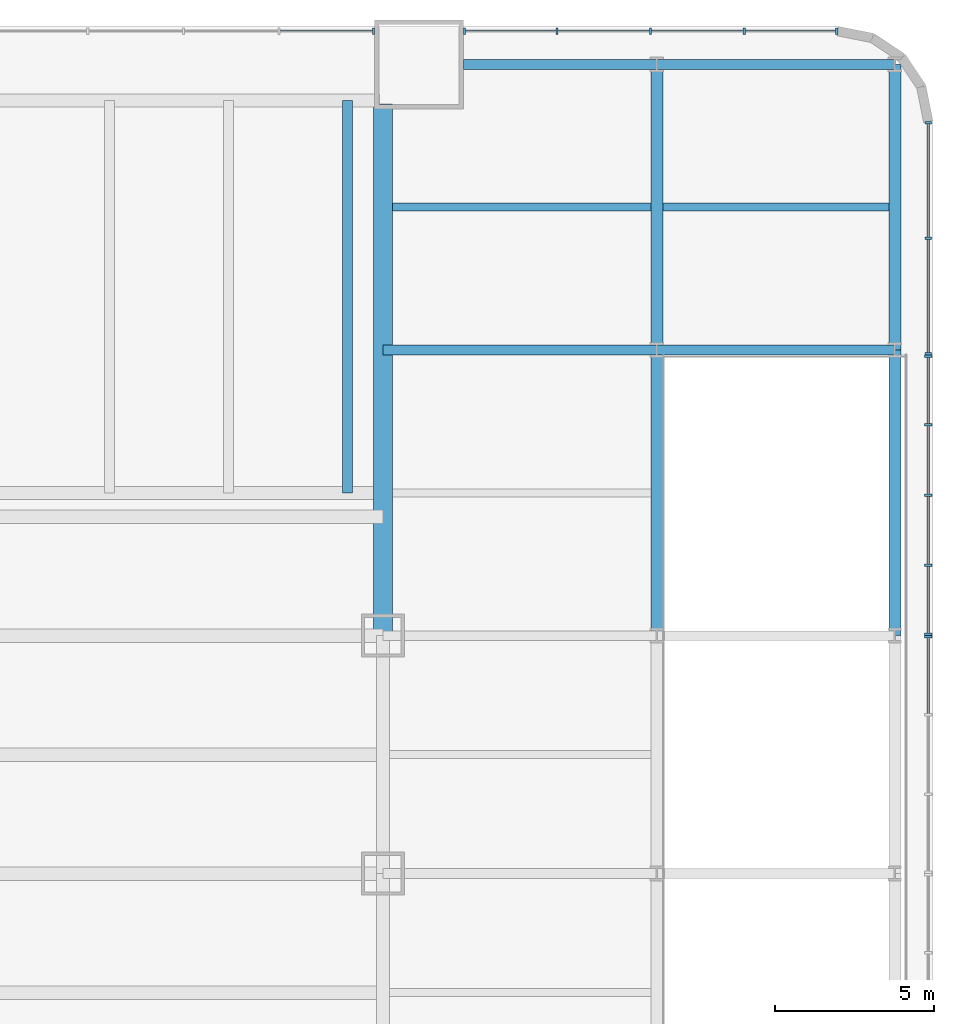
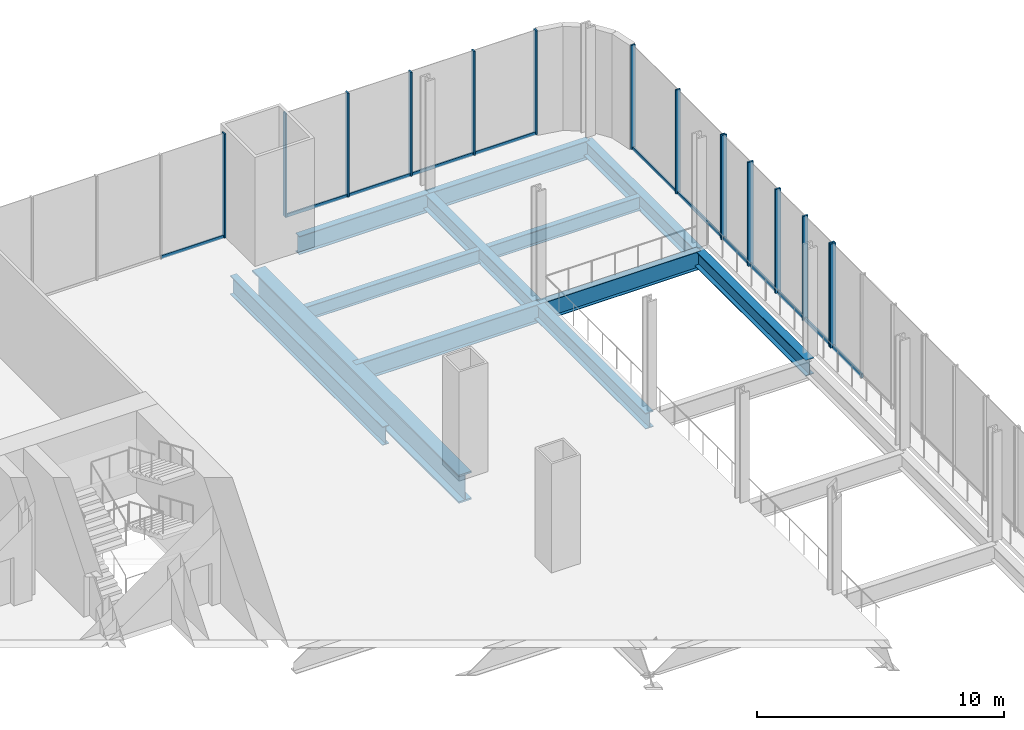
# One storey, part 9 of 16: 27 members, 12 beams, 5 elements without a shape of their own.
"""IFC4 building model written with IfcOpenShell, lengths in metres."""

from ifc_helpers import new_model, si_unit, direction, frame, origin, origin_2d, place, context, subcontext, project, spatial, rectangle, i_section, extrude, material, material_profile, profile_set, type_object, element, aggregate, save


model = new_model("IFC4")

# Units and contexts
model_context = context("Model", 3, precision=1e-05, world=origin(), true_north=direction((0.0, 1.0)))
body_context = subcontext(model_context, "Body", "Model", "MODEL_VIEW")
ifc_project = project(units=[si_unit("LENGTHUNIT", "METRE"), si_unit("AREAUNIT", "SQUARE_METRE"), si_unit("VOLUMEUNIT", "CUBIC_METRE"), si_unit("PLANEANGLEUNIT", "RADIAN"), si_unit("MASSUNIT", "GRAM", prefix="KILO")], contexts=[model_context])

# Site, building, storey
site_placement = place(None, origin())
site = spatial("IfcSite", under=ifc_project, at=site_placement, CompositionType="ELEMENT")
building_placement = place(site_placement, origin())
building = spatial("IfcBuilding", under=site, at=building_placement, Name="Tarangal Relay Tower", CompositionType="ELEMENT")
storey_placement = place(building_placement, frame((0.0, 0.0, 7.199951171875)))
storey = spatial("IfcBuildingStorey", under=building, at=storey_placement, Name="L01", CompositionType="ELEMENT", Elevation=7.199951171875)

# Beam
ifc_material_1 = material(Name="Steel ASTM A992", Category="steel")
ifc_material_profile_1 = material_profile(ifc_material_1, i_section(OverallWidth=0.307373046875, OverallDepth=0.927001953125, WebThickness=0.019287109375, FlangeThickness=0.031982421875, at=origin_2d()), Name="W36X194")
ifc_profile_set_1 = profile_set([ifc_material_profile_1], Name="Steel ASTM A992")
beam_type_1 = type_object("IfcBeamType", Name="Corner beam W36X194", PredefinedType="JOIST", material=ifc_profile_set_1)
beam_1_placement = place(storey_placement, frame((23.25, 12.0, -0.71337890625), z_axis=(0.0, 1.0, 0.0), x_axis=(-1.0, 0.0, 0.0)))
element("IfcBeam", 1, at=beam_1_placement, inside=storey, type_object=beam_type_1, Name="Corner beam CB10 N L01", PredefinedType="JOIST", context=body_context, shape_type="SweptSolid", body=[
    extrude(i_section(OverallWidth=0.307373046875, OverallDepth=0.927001953125, WebThickness=0.019287109375, FlangeThickness=0.031982421875, at=origin_2d()), origin(), (0.0, 0.0, 1.0), 12.364990234375),
])

# Curtain wall, members
ifc_material_2 = material(Name="Unitised curtain wall, dark glass and black aluminium", Category="aluminium")
curtain_wall_type_1 = type_object("IfcCurtainWallType", Name="Curtain wall CW-P", PredefinedType="USERDEFINED", material=ifc_material_2)
curtain_wall_1_placement = place(storey_placement, origin())
curtain_wall_1 = element("IfcCurtainWall", 2, at=curtain_wall_1_placement, inside=storey, type_object=curtain_wall_type_1, Name="Curtain wall CW-P Podium N facade L01", ObjectType="UNITISED CURTAIN WALL", PredefinedType="USERDEFINED")
ifc_material_3 = material(Name="Black anodised aluminium mullion", Category="aluminium")
ifc_material_profile_2 = material_profile(ifc_material_3, rectangle(XDim=0.199951171875, YDim=0.070068359375, at=origin_2d()), Name="CW-PM 70X200")
ifc_profile_set_2 = profile_set([ifc_material_profile_2], Name="Black anodised aluminium mullion")
member_type_1 = type_object("IfcMemberType", Name="Mullion CW-P 70 x 200", PredefinedType="MULLION", material=ifc_profile_set_2)
member_1_placement = place(storey_placement, frame((38.6650390625, 26.550048828125, 0.0), z_axis=(0.0, 0.0, 1.0), x_axis=(0.0, -1.0, 0.0)))
member_1 = element("IfcMember", 3, at=member_1_placement, type_object=member_type_1, Name="CW-P mullion 1", PredefinedType="MULLION", context=body_context, shape_type="SweptSolid", body=[
    extrude(rectangle(XDim=0.199951171875, YDim=0.070068359375, at=origin_2d()), origin(), (0.0, 0.0, 1.0), 5.150146484375),
])
member_2_placement = place(storey_placement, frame((35.75, 26.550048828125, 0.0), z_axis=(0.0, 0.0, 1.0), x_axis=(0.0, -1.0, 0.0)))
member_2 = element("IfcMember", 4, at=member_2_placement, type_object=member_type_1, Name="CW-P mullion 2", PredefinedType="MULLION", context=body_context, shape_type="SweptSolid", body=[
    extrude(rectangle(XDim=0.199951171875, YDim=0.070068359375, at=origin_2d()), origin(), (0.0, 0.0, 1.0), 5.150146484375),
])
member_3_placement = place(storey_placement, frame((32.800048828125, 26.550048828125, 0.0), z_axis=(0.0, 0.0, 1.0), x_axis=(0.0, -1.0, 0.0)))
member_3 = element("IfcMember", 5, at=member_3_placement, type_object=member_type_1, Name="CW-P mullion 3", PredefinedType="MULLION", context=body_context, shape_type="SweptSolid", body=[
    extrude(rectangle(XDim=0.199951171875, YDim=0.070068359375, at=origin_2d()), origin(), (0.0, 0.0, 1.0), 5.150146484375),
])
member_4_placement = place(storey_placement, frame((29.85009765625, 26.550048828125, 0.0), z_axis=(0.0, 0.0, 1.0), x_axis=(0.0, -1.0, 0.0)))
member_4 = element("IfcMember", 6, at=member_4_placement, type_object=member_type_1, Name="CW-P mullion 4", PredefinedType="MULLION", context=body_context, shape_type="SweptSolid", body=[
    extrude(rectangle(XDim=0.199951171875, YDim=0.070068359375, at=origin_2d()), origin(), (0.0, 0.0, 1.0), 5.150146484375),
])
member_5_placement = place(storey_placement, frame((26.93505859375, 26.550048828125, 0.0), z_axis=(0.0, 0.0, 1.0), x_axis=(0.0, -1.0, 0.0)))
member_5 = element("IfcMember", 7, at=member_5_placement, type_object=member_type_1, Name="CW-P mullion 5", PredefinedType="MULLION", context=body_context, shape_type="SweptSolid", body=[
    extrude(rectangle(XDim=0.199951171875, YDim=0.070068359375, at=origin_2d()), origin(), (0.0, 0.0, 1.0), 5.150146484375),
])

# Curtain wall, member
curtain_wall_2_placement = place(storey_placement, origin())
curtain_wall_2 = element("IfcCurtainWall", 8, at=curtain_wall_2_placement, inside=storey, type_object=curtain_wall_type_1, Name="Curtain wall CW-P Podium N facade L01", ObjectType="UNITISED CURTAIN WALL", PredefinedType="USERDEFINED")
member_6_placement = place(storey_placement, frame((24.06494140625, 26.550048828125, 0.0), z_axis=(0.0, 0.0, 1.0), x_axis=(0.0, -1.0, 0.0)))
member_6 = element("IfcMember", 9, at=member_6_placement, type_object=member_type_1, Name="CW-P mullion 1", PredefinedType="MULLION", context=body_context, shape_type="SweptSolid", body=[
    extrude(rectangle(XDim=0.199951171875, YDim=0.070068359375, at=origin_2d()), origin(), (0.0, 0.0, 1.0), 5.150146484375),
])

# Curtain wall, members
curtain_wall_3_placement = place(storey_placement, origin())
curtain_wall_3 = element("IfcCurtainWall", 10, at=curtain_wall_3_placement, inside=storey, type_object=curtain_wall_type_1, Name="Curtain wall CW-P Podium E facade L01", ObjectType="UNITISED CURTAIN WALL", PredefinedType="USERDEFINED")
member_7_placement = place(storey_placement, frame((41.550048828125, 16.385009765625, 0.0), z_axis=(0.0, 0.0, 1.0), x_axis=(-1.0, 0.0, 0.0)))
member_7 = element("IfcMember", 11, at=member_7_placement, type_object=member_type_1, Name="CW-P mullion 1", PredefinedType="MULLION", context=body_context, shape_type="SweptSolid", body=[
    extrude(rectangle(XDim=0.199951171875, YDim=0.070068359375, at=origin_2d()), origin(), (0.0, 0.0, 1.0), 5.150146484375),
])
member_8_placement = place(storey_placement, frame((41.550048828125, 20.02490234375, 0.0), z_axis=(0.0, 0.0, 1.0), x_axis=(-1.0, 0.0, 0.0)))
member_8 = element("IfcMember", 12, at=member_8_placement, type_object=member_type_1, Name="CW-P mullion 2", PredefinedType="MULLION", context=body_context, shape_type="SweptSolid", body=[
    extrude(rectangle(XDim=0.199951171875, YDim=0.070068359375, at=origin_2d()), origin(), (0.0, 0.0, 1.0), 5.150146484375),
])
member_9_placement = place(storey_placement, frame((41.550048828125, 23.6650390625, 0.0), z_axis=(0.0, 0.0, 1.0), x_axis=(-1.0, 0.0, 0.0)))
member_9 = element("IfcMember", 13, at=member_9_placement, type_object=member_type_1, Name="CW-P mullion 3", PredefinedType="MULLION", context=body_context, shape_type="SweptSolid", body=[
    extrude(rectangle(XDim=0.199951171875, YDim=0.070068359375, at=origin_2d()), origin(), (0.0, 0.0, 1.0), 5.150146484375),
])

# Curtain wall, member
curtain_wall_type_2 = type_object("IfcCurtainWallType", Name="Curtain wall CW-T", PredefinedType="USERDEFINED", material=ifc_material_2)
curtain_wall_4_placement = place(storey_placement, origin())
curtain_wall_4 = element("IfcCurtainWall", 14, at=curtain_wall_4_placement, inside=storey, type_object=curtain_wall_type_2, Name="Curtain wall CW-T Podium E facade L01", ObjectType="UNITISED CURTAIN WALL", PredefinedType="USERDEFINED")
ifc_material_profile_3 = material_profile(ifc_material_3, rectangle(XDim=0.25, YDim=0.080078125, at=origin_2d()), Name="CW-TM 80X250")
ifc_profile_set_3 = profile_set([ifc_material_profile_3], Name="Black anodised aluminium mullion")
member_type_2 = type_object("IfcMemberType", Name="Mullion CW-T 80 x 250", PredefinedType="MULLION", material=ifc_profile_set_3)
member_10_placement = place(storey_placement, frame((41.550048828125, 7.4599609375, 0.0), z_axis=(0.0, 0.0, 1.0), x_axis=(-1.0, 0.0, 0.0)))
member_10 = element("IfcMember", 15, at=member_10_placement, type_object=member_type_2, Name="CW-T mullion 4", PredefinedType="MULLION", context=body_context, shape_type="SweptSolid", body=[
    extrude(rectangle(XDim=0.25, YDim=0.080078125, at=origin_2d()), origin(), (0.0, 0.0, 1.0), 5.150146484375),
])

# Curtain wall, members
curtain_wall_5_placement = place(storey_placement, origin())
curtain_wall_5 = element("IfcCurtainWall", 16, at=curtain_wall_5_placement, inside=storey, type_object=curtain_wall_type_2, Name="Curtain wall CW-T Podium E facade L01", ObjectType="UNITISED CURTAIN WALL", PredefinedType="USERDEFINED")
member_11_placement = place(storey_placement, frame((41.550048828125, 7.5400390625, 0.0), z_axis=(0.0, 0.0, 1.0), x_axis=(-1.0, 0.0, 0.0)))
member_11 = element("IfcMember", 17, at=member_11_placement, type_object=member_type_2, Name="CW-T mullion 1", PredefinedType="MULLION", context=body_context, shape_type="SweptSolid", body=[
    extrude(rectangle(XDim=0.25, YDim=0.080078125, at=origin_2d()), origin(), (0.0, 0.0, 1.0), 5.150146484375),
])
member_12_placement = place(storey_placement, frame((41.550048828125, 9.71240234375, 0.0), z_axis=(0.0, 0.0, 1.0), x_axis=(-1.0, 0.0, 0.0)))
member_12 = element("IfcMember", 18, at=member_12_placement, type_object=member_type_2, Name="CW-T mullion 2", PredefinedType="MULLION", context=body_context, shape_type="SweptSolid", body=[
    extrude(rectangle(XDim=0.25, YDim=0.080078125, at=origin_2d()), origin(), (0.0, 0.0, 1.0), 5.150146484375),
])
member_13_placement = place(storey_placement, frame((41.550048828125, 11.925048828125, 0.0), z_axis=(0.0, 0.0, 1.0), x_axis=(-1.0, 0.0, 0.0)))
member_13 = element("IfcMember", 19, at=member_13_placement, type_object=member_type_2, Name="CW-T mullion 3", PredefinedType="MULLION", context=body_context, shape_type="SweptSolid", body=[
    extrude(rectangle(XDim=0.25, YDim=0.080078125, at=origin_2d()), origin(), (0.0, 0.0, 1.0), 5.150146484375),
])
member_14_placement = place(storey_placement, frame((41.550048828125, 14.137451171875, 0.0), z_axis=(0.0, 0.0, 1.0), x_axis=(-1.0, 0.0, 0.0)))
member_14 = element("IfcMember", 20, at=member_14_placement, type_object=member_type_2, Name="CW-T mullion 4", PredefinedType="MULLION", context=body_context, shape_type="SweptSolid", body=[
    extrude(rectangle(XDim=0.25, YDim=0.080078125, at=origin_2d()), origin(), (0.0, 0.0, 1.0), 5.150146484375),
])
member_15_placement = place(storey_placement, frame((41.550048828125, 16.31005859375, 0.0), z_axis=(0.0, 0.0, 1.0), x_axis=(-1.0, 0.0, 0.0)))
member_15 = element("IfcMember", 21, at=member_15_placement, type_object=member_type_2, Name="CW-T mullion 5", PredefinedType="MULLION", context=body_context, shape_type="SweptSolid", body=[
    extrude(rectangle(XDim=0.25, YDim=0.080078125, at=origin_2d()), origin(), (0.0, 0.0, 1.0), 5.150146484375),
])

# Beams
ifc_material_profile_4 = material_profile(ifc_material_1, i_section(OverallWidth=0.3046875, OverallDepth=0.911865234375, WebThickness=0.015869140625, FlangeThickness=0.02392578125, at=origin_2d()), Name="W36X150")
ifc_profile_set_4 = profile_set([ifc_material_profile_4], Name="Steel ASTM A992")
beam_type_2 = type_object("IfcBeamType", Name="Podium beam W36X150", PredefinedType="BEAM", material=ifc_profile_set_4)
beam_2_placement = place(storey_placement, frame((24.364990234375, 16.5, -0.705810546875), z_axis=(1.0, 0.0, 0.0), x_axis=(0.0, 1.0, 0.0)))
element("IfcBeam", 22, at=beam_2_placement, inside=storey, type_object=beam_type_2, Name="Podium beam PB1 L01", PredefinedType="BEAM", context=body_context, shape_type="SweptSolid", body=[
    extrude(i_section(OverallWidth=0.3046875, OverallDepth=0.911865234375, WebThickness=0.015869140625, FlangeThickness=0.02392578125, at=origin_2d()), origin(), (0.0, 0.0, 1.0), 8.635009765625),
])
beam_3_placement = place(storey_placement, frame((33.0, 16.5, -0.705810546875), z_axis=(1.0, 0.0, 0.0), x_axis=(0.0, 1.0, 0.0)))
element("IfcBeam", 23, at=beam_3_placement, inside=storey, type_object=beam_type_2, Name="Podium beam PB1 L01", PredefinedType="BEAM", context=body_context, shape_type="SweptSolid", body=[
    extrude(i_section(OverallWidth=0.3046875, OverallDepth=0.911865234375, WebThickness=0.015869140625, FlangeThickness=0.02392578125, at=origin_2d()), origin(), (0.0, 0.0, 1.0), 7.5),
])
beam_4_placement = place(storey_placement, frame((26.89990234375, 25.5, -0.705810546875), z_axis=(1.0, 0.0, 0.0), x_axis=(0.0, 1.0, 0.0)))
element("IfcBeam", 24, at=beam_4_placement, inside=storey, type_object=beam_type_2, Name="Podium beam PB1 L01", PredefinedType="BEAM", context=body_context, shape_type="SweptSolid", body=[
    extrude(i_section(OverallWidth=0.3046875, OverallDepth=0.911865234375, WebThickness=0.015869140625, FlangeThickness=0.02392578125, at=origin_2d()), origin(), (0.0, 0.0, 1.0), 6.10009765625),
])
beam_5_placement = place(storey_placement, frame((33.0, 25.5, -0.705810546875), z_axis=(1.0, 0.0, 0.0), x_axis=(0.0, 1.0, 0.0)))
element("IfcBeam", 25, at=beam_5_placement, inside=storey, type_object=beam_type_2, Name="Podium beam PB1 L01", PredefinedType="BEAM", context=body_context, shape_type="SweptSolid", body=[
    extrude(i_section(OverallWidth=0.3046875, OverallDepth=0.911865234375, WebThickness=0.015869140625, FlangeThickness=0.02392578125, at=origin_2d()), origin(), (0.0, 0.0, 1.0), 7.5),
])
ifc_material_profile_5 = material_profile(ifc_material_1, i_section(OverallWidth=0.383544921875, OverallDepth=0.784912109375, WebThickness=0.019775390625, FlangeThickness=0.033447265625, at=origin_2d()), Name="W30X211")
ifc_profile_set_5 = profile_set([ifc_material_profile_5], Name="Steel ASTM A992")
beam_type_3 = type_object("IfcBeamType", Name="Podium girder W30X211", PredefinedType="BEAM", material=ifc_profile_set_5)
for number, where, z_axis, x_axis, name in (
    (26, (33.0, 7.5, -0.642333984375), (0.0, 1.0, 0.0), (-1.0, 0.0, 0.0), "Podium girder PG1 L01"),
    (27, (33.0, 16.5, -0.642333984375), (0.0, 1.0, 0.0), (-1.0, 0.0, 0.0), "Podium girder PG1 L01"),
    (28, (40.5, 7.5, -0.642333984375), (0.0, 1.0, 0.0), (-1.0, 0.0, 0.0), "Podium girder PG1 L01"),
    (29, (40.5, 16.5, -0.642333984375), (0.0, 1.0, 0.0), (-1.0, 0.0, 0.0), "Podium girder PG1 L01"),
):
    element("IfcBeam", number, at=place(storey_placement, frame(where, z_axis=z_axis, x_axis=x_axis)), inside=storey, type_object=beam_type_3, Name=name, PredefinedType="BEAM", context=body_context, shape_type="SweptSolid", body=[
        extrude(i_section(OverallWidth=0.383544921875, OverallDepth=0.784912109375, WebThickness=0.019775390625, FlangeThickness=0.033447265625, at=origin_2d()), origin(), (0.0, 0.0, 1.0), 9.0),
    ])
ifc_material_profile_6 = material_profile(ifc_material_1, i_section(OverallWidth=0.25390625, OverallDepth=0.683349609375, WebThickness=0.012451171875, FlangeThickness=0.018798828125, at=origin_2d()), Name="W27X94")
ifc_profile_set_6 = profile_set([ifc_material_profile_6], Name="Steel ASTM A992")
beam_type_4 = type_object("IfcBeamType", Name="Podium joist W27X94", PredefinedType="JOIST", material=ifc_profile_set_6)
beam_6_placement = place(storey_placement, frame((24.6650390625, 21.0, -0.591552734375), z_axis=(1.0, 0.0, 0.0), x_axis=(0.0, 1.0, 0.0)))
element("IfcBeam", 30, at=beam_6_placement, inside=storey, type_object=beam_type_4, Name="Podium joist PJ1 L01", PredefinedType="JOIST", context=body_context, shape_type="SweptSolid", body=[
    extrude(i_section(OverallWidth=0.25390625, OverallDepth=0.683349609375, WebThickness=0.012451171875, FlangeThickness=0.018798828125, at=origin_2d()), origin(), (0.0, 0.0, 1.0), 8.14404296875),
])
beam_7_placement = place(storey_placement, frame((33.19091796875, 21.0, -0.591552734375), z_axis=(1.0, 0.0, 0.0), x_axis=(0.0, 1.0, 0.0)))
element("IfcBeam", 31, at=beam_7_placement, inside=storey, type_object=beam_type_4, Name="Podium joist PJ1 L01", PredefinedType="JOIST", context=body_context, shape_type="SweptSolid", body=[
    extrude(i_section(OverallWidth=0.25390625, OverallDepth=0.683349609375, WebThickness=0.012451171875, FlangeThickness=0.018798828125, at=origin_2d()), origin(), (0.0, 0.0, 1.0), 7.1181640625),
])
ifc_material_4 = material(Name="Steel ASTM A572 Grade 50", Category="steel")
ifc_material_profile_7 = material_profile(ifc_material_4, i_section(OverallWidth=0.60009765625, OverallDepth=1.39990234375, WebThickness=0.030029296875, FlangeThickness=0.080078125, at=origin_2d()), Name="PG1400X600X80X30")
ifc_profile_set_7 = profile_set([ifc_material_profile_7], Name="Steel ASTM A572 Grade 50")
beam_type_5 = type_object("IfcBeamType", Name="Transfer girder PG1400X600X80X30", PredefinedType="SPANDREL", material=ifc_profile_set_7)
beam_8_placement = place(storey_placement, frame((24.364990234375, 24.25, -0.949951171875), z_axis=(0.0, -1.0, 0.0), x_axis=(1.0, 0.0, 0.0)))
element("IfcBeam", 32, at=beam_8_placement, inside=storey, type_object=beam_type_5, Name="Transfer girder TG1 E L01", PredefinedType="SPANDREL", context=body_context, shape_type="SweptSolid", body=[
    extrude(i_section(OverallWidth=0.60009765625, OverallDepth=1.39990234375, WebThickness=0.030029296875, FlangeThickness=0.080078125, at=origin_2d()), origin(), (0.0, 0.0, 1.0), 16.75),
])

# Member
ifc_material_5 = material(Name="Black anodised aluminium transom", Category="aluminium")
ifc_material_profile_8 = material_profile(ifc_material_5, rectangle(XDim=0.070068359375, YDim=0.159912109375, at=origin_2d()), Name="CW-PT 70X160")
ifc_profile_set_8 = profile_set([ifc_material_profile_8], Name="Black anodised aluminium transom")
member_type_3 = type_object("IfcMemberType", Name="Transom CW-P 70 x 160", PredefinedType="USERDEFINED", material=ifc_profile_set_8)
member_16_placement = place(storey_placement, frame((38.6298828125, 26.550048828125, 0.03515625), z_axis=(-1.0, 0.0, 0.0), x_axis=(0.0, -1.0, 0.0)))
member_16 = element("IfcMember", 33, at=member_16_placement, type_object=member_type_3, Name="CW-P transom 1.1", ObjectType="TRANSOM", PredefinedType="USERDEFINED", context=body_context, shape_type="SweptSolid", body=[
    extrude(rectangle(XDim=0.070068359375, YDim=0.159912109375, at=origin_2d()), origin(), (0.0, 0.0, 1.0), 2.844970703125),
])

member_17_placement = place(storey_placement, frame((35.715087890625, 26.550048828125, 0.03515625), z_axis=(-1.0, 0.0, 0.0), x_axis=(0.0, -1.0, 0.0)))
member_17 = element("IfcMember", 34, at=member_17_placement, type_object=member_type_3, Name="CW-P transom 2.1", ObjectType="TRANSOM", PredefinedType="USERDEFINED", context=body_context, shape_type="SweptSolid", body=[
    extrude(rectangle(XDim=0.070068359375, YDim=0.159912109375, at=origin_2d()), origin(), (0.0, 0.0, 1.0), 2.880126953125),
])

member_18_placement = place(storey_placement, frame((32.764892578125, 26.550048828125, 0.03515625), z_axis=(-1.0, 0.0, 0.0), x_axis=(0.0, -1.0, 0.0)))
member_18 = element("IfcMember", 35, at=member_18_placement, type_object=member_type_3, Name="CW-P transom 3.1", ObjectType="TRANSOM", PredefinedType="USERDEFINED", context=body_context, shape_type="SweptSolid", body=[
    extrude(rectangle(XDim=0.070068359375, YDim=0.159912109375, at=origin_2d()), origin(), (0.0, 0.0, 1.0), 2.8798828125),
])

member_19_placement = place(storey_placement, frame((29.81494140625, 26.550048828125, 0.03515625), z_axis=(-1.0, 0.0, 0.0), x_axis=(0.0, -1.0, 0.0)))
member_19 = element("IfcMember", 36, at=member_19_placement, type_object=member_type_3, Name="CW-P transom 4.1", ObjectType="TRANSOM", PredefinedType="USERDEFINED", context=body_context, shape_type="SweptSolid", body=[
    extrude(rectangle(XDim=0.070068359375, YDim=0.159912109375, at=origin_2d()), origin(), (0.0, 0.0, 1.0), 2.844970703125),
])

aggregate(curtain_wall_1, [member_1, member_2, member_3, member_4, member_5, member_16, member_17, member_18, member_19])

member_20_placement = place(storey_placement, frame((24.030029296875, 26.550048828125, 0.03515625), z_axis=(-1.0, 0.0, 0.0), x_axis=(0.0, -1.0, 0.0)))
member_20 = element("IfcMember", 37, at=member_20_placement, type_object=member_type_3, Name="CW-P transom 1.1", ObjectType="TRANSOM", PredefinedType="USERDEFINED", context=body_context, shape_type="SweptSolid", body=[
    extrude(rectangle(XDim=0.070068359375, YDim=0.159912109375, at=origin_2d()), origin(), (0.0, 0.0, 1.0), 2.907470703125),
])

aggregate(curtain_wall_2, [member_6, member_20])

member_21_placement = place(storey_placement, frame((41.550048828125, 16.419921875, 0.03515625), z_axis=(0.0, 1.0, 0.0), x_axis=(-1.0, 0.0, 0.0)))
member_21 = element("IfcMember", 38, at=member_21_placement, type_object=member_type_3, Name="CW-P transom 1.1", ObjectType="TRANSOM", PredefinedType="USERDEFINED", context=body_context, shape_type="SweptSolid", body=[
    extrude(rectangle(XDim=0.070068359375, YDim=0.159912109375, at=origin_2d()), origin(), (0.0, 0.0, 1.0), 3.570068359375),
])

member_22_placement = place(storey_placement, frame((41.550048828125, 20.06005859375, 0.03515625), z_axis=(0.0, 1.0, 0.0), x_axis=(-1.0, 0.0, 0.0)))
member_22 = element("IfcMember", 39, at=member_22_placement, type_object=member_type_3, Name="CW-P transom 2.1", ObjectType="TRANSOM", PredefinedType="USERDEFINED", context=body_context, shape_type="SweptSolid", body=[
    extrude(rectangle(XDim=0.070068359375, YDim=0.159912109375, at=origin_2d()), origin(), (0.0, 0.0, 1.0), 3.56982421875),
])

aggregate(curtain_wall_3, [member_7, member_8, member_9, member_21, member_22])

ifc_material_profile_9 = material_profile(ifc_material_5, rectangle(XDim=0.080078125, YDim=0.199951171875, at=origin_2d()), Name="CW-TT 80X200")
ifc_profile_set_9 = profile_set([ifc_material_profile_9], Name="Black anodised aluminium transom")
member_type_4 = type_object("IfcMemberType", Name="Transom CW-T 80 x 200", PredefinedType="USERDEFINED", material=ifc_profile_set_9)
member_23_placement = place(storey_placement, frame((41.550048828125, 5.0400390625, 0.0400390625), z_axis=(0.0, 1.0, 0.0), x_axis=(-1.0, 0.0, 0.0)))
member_23 = element("IfcMember", 40, at=member_23_placement, type_object=member_type_4, Name="CW-T transom 3.1", ObjectType="TRANSOM", PredefinedType="USERDEFINED", context=body_context, shape_type="SweptSolid", body=[
    extrude(rectangle(XDim=0.080078125, YDim=0.199951171875, at=origin_2d()), origin(), (0.0, 0.0, 1.0), 2.3798828125),
])

aggregate(curtain_wall_4, [member_10, member_23])

member_24_placement = place(storey_placement, frame((41.550048828125, 7.580078125, 0.0400390625), z_axis=(0.0, 1.0, 0.0), x_axis=(-1.0, 0.0, 0.0)))
member_24 = element("IfcMember", 41, at=member_24_placement, type_object=member_type_4, Name="CW-T transom 1.1", ObjectType="TRANSOM", PredefinedType="USERDEFINED", context=body_context, shape_type="SweptSolid", body=[
    extrude(rectangle(XDim=0.080078125, YDim=0.199951171875, at=origin_2d()), origin(), (0.0, 0.0, 1.0), 2.092529296875),
])

member_25_placement = place(storey_placement, frame((41.550048828125, 9.75244140625, 0.0400390625), z_axis=(0.0, 1.0, 0.0), x_axis=(-1.0, 0.0, 0.0)))
member_25 = element("IfcMember", 42, at=member_25_placement, type_object=member_type_4, Name="CW-T transom 2.1", ObjectType="TRANSOM", PredefinedType="USERDEFINED", context=body_context, shape_type="SweptSolid", body=[
    extrude(rectangle(XDim=0.080078125, YDim=0.199951171875, at=origin_2d()), origin(), (0.0, 0.0, 1.0), 2.132568359375),
])

member_26_placement = place(storey_placement, frame((41.550048828125, 11.965087890625, 0.0400390625), z_axis=(0.0, 1.0, 0.0), x_axis=(-1.0, 0.0, 0.0)))
member_26 = element("IfcMember", 43, at=member_26_placement, type_object=member_type_4, Name="CW-T transom 3.1", ObjectType="TRANSOM", PredefinedType="USERDEFINED", context=body_context, shape_type="SweptSolid", body=[
    extrude(rectangle(XDim=0.080078125, YDim=0.199951171875, at=origin_2d()), origin(), (0.0, 0.0, 1.0), 2.13232421875),
])

member_27_placement = place(storey_placement, frame((41.550048828125, 14.177490234375, 0.0400390625), z_axis=(0.0, 1.0, 0.0), x_axis=(-1.0, 0.0, 0.0)))
member_27 = element("IfcMember", 44, at=member_27_placement, type_object=member_type_4, Name="CW-T transom 4.1", ObjectType="TRANSOM", PredefinedType="USERDEFINED", context=body_context, shape_type="SweptSolid", body=[
    extrude(rectangle(XDim=0.080078125, YDim=0.199951171875, at=origin_2d()), origin(), (0.0, 0.0, 1.0), 2.092529296875),
])

aggregate(curtain_wall_5, [member_11, member_12, member_13, member_14, member_15, member_24, member_25, member_26, member_27])

save(model, "model.ifc")
